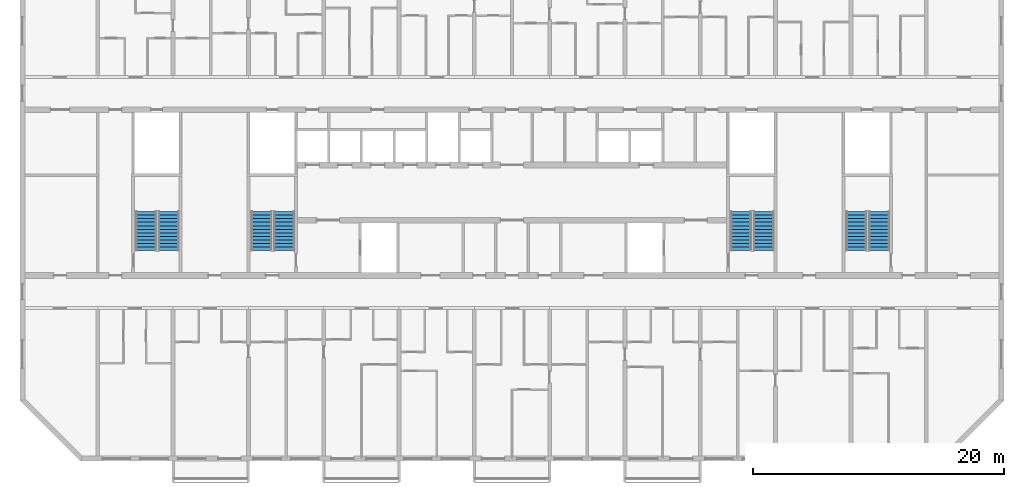
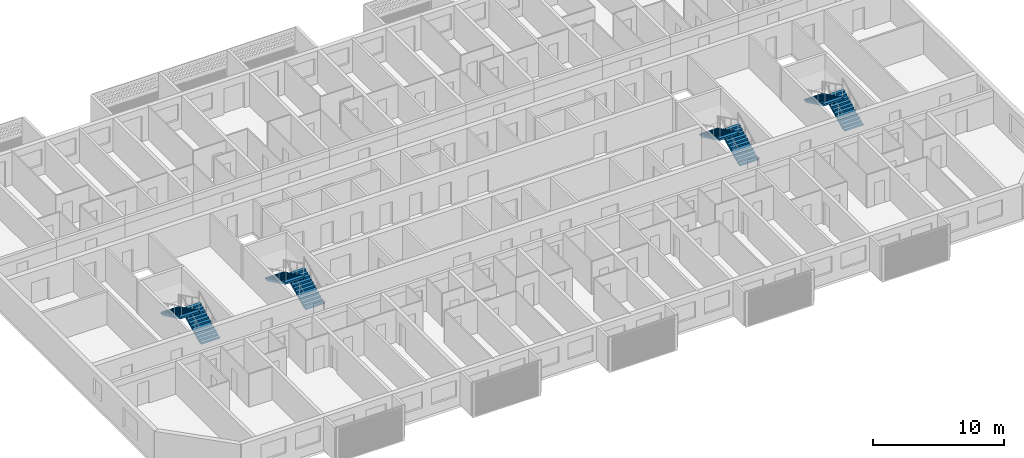
# One storey, part 14 of 33: 8 stair flights, 4 elements without a shape of their own.
"""IFC4 building model written with IfcOpenShell, lengths in metres."""

import ifcopenshell
import ifcopenshell.guid

model = None  # the IFC model being written
_history = None  # IfcOwnerHistory: only IFC2X3 demands one
_inside = {}  # id of a spatial element -> (the spatial element, [elements in it])
_under = {}  # id of a project, library or spatial element -> (it, [spatial elements below it])
_declared = {}  # id of a project -> (the project, [libraries it declares])
_typed = {}  # id of a type object -> (the type object, [elements of that type])
_made_of = {}  # id of a material, layer set ... -> (it, [elements and type objects made of it])


def new_model(schema):
    """Start an empty IFC model of exactly this schema.

    Asked for "IFC4X3", IfcOpenShell would pick the latest addendum, in which some entities
    have other attributes; the version numbers below select the first issue.
    IFC2X3 requires an IfcOwnerHistory on every rooted entity: one is made here for all.
    """
    global model, _history
    if schema == "IFC4X3":
        model = ifcopenshell.file(schema_version=(4, 3, 0, 0))
    else:
        model = ifcopenshell.file(schema=schema)
    _inside.clear()
    _under.clear()
    _declared.clear()
    _typed.clear()
    _made_of.clear()
    _history = None
    if model.schema == "IFC2X3":
        org = make("IfcOrganization", Name="unknown")
        user = make(
            "IfcPersonAndOrganization",
            ThePerson=make("IfcPerson", FamilyName="unknown"),
            TheOrganization=org,
        )
        app = make(
            "IfcApplication",
            ApplicationDeveloper=org,
            Version="unknown",
            ApplicationFullName="unknown",
            ApplicationIdentifier="unknown",
        )
        _history = make(
            "IfcOwnerHistory",
            OwningUser=user,
            OwningApplication=app,
            ChangeAction="ADDED",
            CreationDate=0,
        )
    return model


def make(cls, **values):
    """One entity of the class cls with the attributes given. An attribute that is None is left unset."""
    return model.create_entity(
        cls, **{name: value for name, value in values.items() if value is not None}
    )


def rooted(cls, **values):
    """An entity with a GlobalId (a new one), such as an element, a storey or a relation."""
    return make(cls, GlobalId=ifcopenshell.guid.new(), OwnerHistory=_history, **values)


def si_unit(unit_type, name, prefix=None):
    """IfcSIUnit, for example si_unit("LENGTHUNIT", "METRE", prefix="MILLI")."""
    return make("IfcSIUnit", UnitType=unit_type, Prefix=prefix, Name=name)


def assignment(units):
    """IfcUnitAssignment: the units of a project."""
    return None if units is None else make("IfcUnitAssignment", Units=units)


def point(xyz):
    """IfcCartesianPoint."""
    return None if xyz is None else make("IfcCartesianPoint", Coordinates=xyz)


def direction(xyz):
    """IfcDirection."""
    return None if xyz is None else make("IfcDirection", DirectionRatios=xyz)


def frame(location, z_axis=None, x_axis=None):
    """IfcAxis2Placement3D, a coordinate frame: its origin and axes. An axis left out is left unset."""
    return make(
        "IfcAxis2Placement3D",
        Location=point(location),
        Axis=direction(z_axis),
        RefDirection=direction(x_axis),
    )


def origin():
    """The frame at (0, 0, 0) with its axes left unset."""
    return frame((0.0, 0.0, 0.0))


def place(relative_to, where):
    """IfcLocalPlacement: puts the frame where relative to a parent placement (None: the world)."""
    return make(
        "IfcLocalPlacement", PlacementRelTo=relative_to, RelativePlacement=where
    )


def context(
    kind, dimensions, precision=None, world=None, true_north=None, identifier=None
):
    """IfcGeometricRepresentationContext, for example the 3D "Model" context."""
    return make(
        "IfcGeometricRepresentationContext",
        ContextIdentifier=identifier,
        ContextType=kind,
        CoordinateSpaceDimension=dimensions,
        Precision=precision,
        WorldCoordinateSystem=world,
        TrueNorth=true_north,
    )


def subcontext(parent, identifier, kind, view, scale=None):
    """IfcGeometricRepresentationSubContext, for example "Body" below "Model"."""
    return make(
        "IfcGeometricRepresentationSubContext",
        ContextIdentifier=identifier,
        ContextType=kind,
        ParentContext=parent,
        TargetScale=scale,
        TargetView=view,
    )


def project(units=None, contexts=None):
    """IfcProject with its units and contexts."""
    return rooted(
        "IfcProject",
        Name="project",
        RepresentationContexts=contexts,
        UnitsInContext=assignment(units),
    )


def spatial(cls, under=None, at=None, **own):
    """A site, building, storey or space (cls), placed at a placement, below another one or the project."""
    s = rooted(cls, ObjectPlacement=at, **own)
    if under is not None:
        _under.setdefault(under.id(), (under, []))[1].append(s)
    return s


def polyline(points):
    """IfcPolyline through the points."""
    return make("IfcPolyline", Points=[point(p) for p in points])


def outline(outer, holes=None, kind="AREA"):
    """IfcArbitraryClosedProfileDef: a profile drawn as a closed curve; with holes, ...WithVoids."""
    if holes is None:
        return make("IfcArbitraryClosedProfileDef", ProfileType=kind, OuterCurve=outer)
    return make(
        "IfcArbitraryProfileDefWithVoids",
        ProfileType=kind,
        OuterCurve=outer,
        InnerCurves=holes,
    )


def extrude(swept, where, along, depth):
    """IfcExtrudedAreaSolid: the profile swept, set in the frame where, extruded along a direction by depth."""
    return make(
        "IfcExtrudedAreaSolid",
        SweptArea=swept,
        Position=where,
        ExtrudedDirection=direction(along),
        Depth=depth,
    )


def shape(context_of_items, identifier, shape_type, items):
    """IfcShapeRepresentation: the items that make up one representation, for example the "Body"."""
    return make(
        "IfcShapeRepresentation",
        ContextOfItems=context_of_items,
        RepresentationIdentifier=identifier,
        RepresentationType=shape_type,
        Items=items,
    )


def material(Name=None, Category=None):
    """IfcMaterial."""
    return make("IfcMaterial", Name=Name, Category=Category)


def layer(
    of_material, thickness, ventilated=None, Name=None, Category=None, Priority=None
):
    """IfcMaterialLayer: one layer of a wall or slab, of a material (None: an air gap)."""
    return make(
        "IfcMaterialLayer",
        Material=of_material,
        LayerThickness=thickness,
        IsVentilated=ventilated,
        Name=Name,
        Category=Category,
        Priority=Priority,
    )


def layer_set(layers, Name=None):
    """IfcMaterialLayerSet."""
    return make("IfcMaterialLayerSet", MaterialLayers=layers, LayerSetName=Name)


def made_of(thing, what):
    """Note that an element or type object is made of a material, layer set ...; save() writes the relation."""
    if what is not None:
        _made_of.setdefault(what.id(), (what, []))[1].append(thing)
    return thing


def type_object(cls, material=None, **own):
    """A type object (cls), such as IfcWallType, which elements share."""
    return made_of(rooted(cls, **own), material)


def element(
    cls,
    number,
    at=None,
    inside=None,
    cuts=None,
    type_object=None,
    material=None,
    context=None,
    identifier="Body",
    shape_type=None,
    held_by="IfcProductDefinitionShape",
    body=None,
    shapes=None,
    **own,
):
    """One element of the class cls, such as IfcWall. Its Tag is "e" and its number.

    at: its placement. inside: the storey or other place that contains it. cuts: it is an
    opening in that element (IfcRelVoidsElement). A single representation is given by context,
    identifier, shape_type and body (its items); several are given by shapes. held_by: the class
    of the entity that holds the representations. save() writes the other relations.
    """
    e = rooted(cls, Tag="e%d" % number, ObjectPlacement=at, **own)
    if body is not None:
        shapes = [shape(context, identifier, shape_type, body)]
    if shapes is not None:
        e.Representation = make(held_by, Representations=shapes)
    if inside is not None:
        _inside.setdefault(inside.id(), (inside, []))[1].append(e)
    if cuts is not None:
        rooted(
            "IfcRelVoidsElement", RelatingBuildingElement=cuts, RelatedOpeningElement=e
        )
    if type_object is not None:
        _typed.setdefault(type_object.id(), (type_object, []))[1].append(e)
    return made_of(e, material)


def aggregate(whole, parts):
    """IfcRelAggregates: a whole, such as a stair, and the parts it consists of."""
    return rooted("IfcRelAggregates", RelatingObject=whole, RelatedObjects=parts)


def save(model, path):
    """Write the relations noted so far, then the file.

    IfcRelAggregates (storeys below a building ...), IfcRelContainedInSpatialStructure (elements
    in a storey), IfcRelDefinesByType, IfcRelAssociatesMaterial and IfcRelDeclares: one each for
    every whole, place, type object, material and project.
    """
    for whole, parts in _under.values():
        aggregate(whole, parts)
    for where, things in _inside.values():
        rooted(
            "IfcRelContainedInSpatialStructure",
            RelatedElements=things,
            RelatingStructure=where,
        )
    for kind, things in _typed.values():
        rooted("IfcRelDefinesByType", RelatedObjects=things, RelatingType=kind)
    for what, things in _made_of.values():
        rooted("IfcRelAssociatesMaterial", RelatedObjects=things, RelatingMaterial=what)
    for by, libraries in _declared.values():
        rooted("IfcRelDeclares", RelatingContext=by, RelatedDefinitions=libraries)
    model.write(path)


model = new_model("IFC4")

# Units and contexts
model_context = context("Model", 3, precision=1e-05, world=origin(), true_north=direction((0.0, 1.0)))
body_context = subcontext(model_context, "Body", "Model", "MODEL_VIEW")
ifc_project = project(units=[si_unit("LENGTHUNIT", "METRE"), si_unit("AREAUNIT", "SQUARE_METRE"), si_unit("VOLUMEUNIT", "CUBIC_METRE"), si_unit("PLANEANGLEUNIT", "RADIAN"), si_unit("MASSUNIT", "GRAM", prefix="KILO")], contexts=[model_context])

# Site, building, storey
site_placement = place(None, origin())
site = spatial("IfcSite", under=ifc_project, at=site_placement, CompositionType="ELEMENT")
building_placement = place(site_placement, origin())
building = spatial("IfcBuilding", under=site, at=building_placement, Name="Poui Terraces", CompositionType="ELEMENT")
storey_placement = place(building_placement, frame((0.0, 0.0, 135.60009765625)))
storey = spatial("IfcBuildingStorey", under=building, at=storey_placement, Name="L37", CompositionType="ELEMENT", Elevation=135.60009765625)

# Stair, stair flights
ifc_material = material(Name="Concrete 65 MPa", Category="concrete")
stair_type = type_object("IfcStairType", Name="EXIT STAIR 1650 65 MPA", PredefinedType="HALF_TURN_STAIR", material=ifc_material)
stair_1_placement = place(storey_placement, origin())
stair_1 = element("IfcStair", 1, at=stair_1_placement, inside=storey, type_object=stair_type, Name="L37 CORE STAIR EAST", PredefinedType="HALF_TURN_STAIR")
ifc_layer = layer(ifc_material, 0.14990234375)
ifc_layer_set = layer_set([ifc_layer], Name="Concrete 65 MPa")
stair_flight_type = type_object("IfcStairFlightType", Name="STAIR FLIGHT 12 RISERS 138 RISE 65 MPA", PredefinedType="STRAIGHT", material=ifc_layer_set)
stair_flight_1_placement = place(storey_placement, frame((71.050048828125, 16.60009765625, 0.0), z_axis=(0.0, 0.0, 1.0), x_axis=(0.0, 1.0, 0.0)))
stair_flight_1 = element("IfcStairFlight", 2, at=stair_flight_1_placement, type_object=stair_flight_type, Name="ST-CE flight 1", NumberOfRisers=12, NumberOfTreads=11, PredefinedType="STRAIGHT", RiserHeight=0.1375, TreadLength=0.28, context=body_context, shape_type="SweptSolid", body=[
    extrude(outline(polyline([(0.0, 0.0), (0.0, 0.137451171875), (0.280029296875, 0.137451171875), (0.280029296875, 0.27490234375), (0.56005859375, 0.27490234375), (0.56005859375, 0.41259765625), (0.840087890625, 0.41259765625), (0.840087890625, 0.550048828125), (1.1201171875, 0.550048828125), (1.1201171875, 0.6875), (1.39990234375, 0.6875), (1.39990234375, 0.824951171875), (1.679931640625, 0.824951171875), (1.679931640625, 0.96240234375), (1.9599609375, 0.96240234375), (1.9599609375, 1.10009765625), (2.239990234375, 1.10009765625), (2.239990234375, 1.237548828125), (2.52001953125, 1.237548828125), (2.52001953125, 1.375), (2.800048828125, 1.375), (2.800048828125, 1.512451171875), (3.080078125, 1.512451171875), (3.080078125, 1.64990234375), (3.080078125, 1.345458984375), (0.340087890625, 0.0), (0.0, 0.0)])), frame((0.0, 0.824951171875, 0.0), z_axis=(0.0, -1.0, 0.0), x_axis=(1.0, 0.0, 0.0)), (0.0, 0.0, 1.0), 1.64990234375),
])
stair_flight_2_placement = place(storey_placement, frame((69.25, 19.679931640625, 1.64990234375), z_axis=(0.0, 0.0, 1.0), x_axis=(0.0, -1.0, 0.0)))
stair_flight_2 = element("IfcStairFlight", 3, at=stair_flight_2_placement, type_object=stair_flight_type, Name="ST-CE flight 2", NumberOfRisers=12, NumberOfTreads=11, PredefinedType="STRAIGHT", RiserHeight=0.1375, TreadLength=0.28, context=body_context, shape_type="SweptSolid", body=[
    extrude(outline(polyline([(0.0, 0.0), (0.0, 0.137451171875), (0.280029296875, 0.137451171875), (0.280029296875, 0.27490234375), (0.56005859375, 0.27490234375), (0.56005859375, 0.41259765625), (0.840087890625, 0.41259765625), (0.840087890625, 0.550048828125), (1.1201171875, 0.550048828125), (1.1201171875, 0.6875), (1.39990234375, 0.6875), (1.39990234375, 0.824951171875), (1.679931640625, 0.824951171875), (1.679931640625, 0.96240234375), (1.9599609375, 0.96240234375), (1.9599609375, 1.10009765625), (2.239990234375, 1.10009765625), (2.239990234375, 1.237548828125), (2.52001953125, 1.237548828125), (2.52001953125, 1.375), (2.800048828125, 1.375), (2.800048828125, 1.512451171875), (3.080078125, 1.512451171875), (3.080078125, 1.64990234375), (3.080078125, 1.345458984375), (0.340087890625, 0.0), (0.0, 0.0)])), frame((0.0, 0.824951171875, 0.0), z_axis=(0.0, -1.0, 0.0), x_axis=(1.0, 0.0, 0.0)), (0.0, 0.0, 1.0), 1.64990234375),
])
aggregate(stair_1, [stair_flight_1, stair_flight_2])

stair_2_placement = place(storey_placement, origin())
stair_2 = element("IfcStair", 4, at=stair_2_placement, inside=storey, type_object=stair_type, Name="L37 CORE STAIR WEST", PredefinedType="HALF_TURN_STAIR")
stair_flight_3_placement = place(storey_placement, frame((32.85009765625, 16.60009765625, 0.0), z_axis=(0.0, 0.0, 1.0), x_axis=(0.0, 1.0, 0.0)))
stair_flight_3 = element("IfcStairFlight", 5, at=stair_flight_3_placement, type_object=stair_flight_type, Name="ST-CW flight 1", NumberOfRisers=12, NumberOfTreads=11, PredefinedType="STRAIGHT", RiserHeight=0.1375, TreadLength=0.28, context=body_context, shape_type="SweptSolid", body=[
    extrude(outline(polyline([(0.0, 0.0), (0.0, 0.137451171875), (0.280029296875, 0.137451171875), (0.280029296875, 0.27490234375), (0.56005859375, 0.27490234375), (0.56005859375, 0.41259765625), (0.840087890625, 0.41259765625), (0.840087890625, 0.550048828125), (1.1201171875, 0.550048828125), (1.1201171875, 0.6875), (1.39990234375, 0.6875), (1.39990234375, 0.824951171875), (1.679931640625, 0.824951171875), (1.679931640625, 0.96240234375), (1.9599609375, 0.96240234375), (1.9599609375, 1.10009765625), (2.239990234375, 1.10009765625), (2.239990234375, 1.237548828125), (2.52001953125, 1.237548828125), (2.52001953125, 1.375), (2.800048828125, 1.375), (2.800048828125, 1.512451171875), (3.080078125, 1.512451171875), (3.080078125, 1.64990234375), (3.080078125, 1.345458984375), (0.340087890625, 0.0), (0.0, 0.0)])), frame((0.0, 0.824951171875, 0.0), z_axis=(0.0, -1.0, 0.0), x_axis=(1.0, 0.0, 0.0)), (0.0, 0.0, 1.0), 1.64990234375),
])
stair_flight_4_placement = place(storey_placement, frame((31.050048828125, 19.679931640625, 1.64990234375), z_axis=(0.0, 0.0, 1.0), x_axis=(0.0, -1.0, 0.0)))
stair_flight_4 = element("IfcStairFlight", 6, at=stair_flight_4_placement, type_object=stair_flight_type, Name="ST-CW flight 2", NumberOfRisers=12, NumberOfTreads=11, PredefinedType="STRAIGHT", RiserHeight=0.1375, TreadLength=0.28, context=body_context, shape_type="SweptSolid", body=[
    extrude(outline(polyline([(0.0, 0.0), (0.0, 0.137451171875), (0.280029296875, 0.137451171875), (0.280029296875, 0.27490234375), (0.56005859375, 0.27490234375), (0.56005859375, 0.41259765625), (0.840087890625, 0.41259765625), (0.840087890625, 0.550048828125), (1.1201171875, 0.550048828125), (1.1201171875, 0.6875), (1.39990234375, 0.6875), (1.39990234375, 0.824951171875), (1.679931640625, 0.824951171875), (1.679931640625, 0.96240234375), (1.9599609375, 0.96240234375), (1.9599609375, 1.10009765625), (2.239990234375, 1.10009765625), (2.239990234375, 1.237548828125), (2.52001953125, 1.237548828125), (2.52001953125, 1.375), (2.800048828125, 1.375), (2.800048828125, 1.512451171875), (3.080078125, 1.512451171875), (3.080078125, 1.64990234375), (3.080078125, 1.345458984375), (0.340087890625, 0.0), (0.0, 0.0)])), frame((0.0, 0.824951171875, 0.0), z_axis=(0.0, -1.0, 0.0), x_axis=(1.0, 0.0, 0.0)), (0.0, 0.0, 1.0), 1.64990234375),
])
aggregate(stair_2, [stair_flight_3, stair_flight_4])

stair_3_placement = place(storey_placement, origin())
stair_3 = element("IfcStair", 7, at=stair_3_placement, inside=storey, type_object=stair_type, Name="L37 TIP STAIR EAST", PredefinedType="HALF_TURN_STAIR")
stair_flight_5_placement = place(storey_placement, frame((80.25, 16.60009765625, 0.0), z_axis=(0.0, 0.0, 1.0), x_axis=(0.0, 1.0, 0.0)))
stair_flight_5 = element("IfcStairFlight", 8, at=stair_flight_5_placement, type_object=stair_flight_type, Name="ST-E flight 1", NumberOfRisers=12, NumberOfTreads=11, PredefinedType="STRAIGHT", RiserHeight=0.1375, TreadLength=0.28, context=body_context, shape_type="SweptSolid", body=[
    extrude(outline(polyline([(0.0, 0.0), (0.0, 0.137451171875), (0.280029296875, 0.137451171875), (0.280029296875, 0.27490234375), (0.56005859375, 0.27490234375), (0.56005859375, 0.41259765625), (0.840087890625, 0.41259765625), (0.840087890625, 0.550048828125), (1.1201171875, 0.550048828125), (1.1201171875, 0.6875), (1.39990234375, 0.6875), (1.39990234375, 0.824951171875), (1.679931640625, 0.824951171875), (1.679931640625, 0.96240234375), (1.9599609375, 0.96240234375), (1.9599609375, 1.10009765625), (2.239990234375, 1.10009765625), (2.239990234375, 1.237548828125), (2.52001953125, 1.237548828125), (2.52001953125, 1.375), (2.800048828125, 1.375), (2.800048828125, 1.512451171875), (3.080078125, 1.512451171875), (3.080078125, 1.64990234375), (3.080078125, 1.345458984375), (0.340087890625, 0.0), (0.0, 0.0)])), frame((0.0, 0.824951171875, 0.0), z_axis=(0.0, -1.0, 0.0), x_axis=(1.0, 0.0, 0.0)), (0.0, 0.0, 1.0), 1.64990234375),
])
stair_flight_6_placement = place(storey_placement, frame((78.449951171875, 19.679931640625, 1.64990234375), z_axis=(0.0, 0.0, 1.0), x_axis=(0.0, -1.0, 0.0)))
stair_flight_6 = element("IfcStairFlight", 9, at=stair_flight_6_placement, type_object=stair_flight_type, Name="ST-E flight 2", NumberOfRisers=12, NumberOfTreads=11, PredefinedType="STRAIGHT", RiserHeight=0.1375, TreadLength=0.28, context=body_context, shape_type="SweptSolid", body=[
    extrude(outline(polyline([(0.0, 0.0), (0.0, 0.137451171875), (0.280029296875, 0.137451171875), (0.280029296875, 0.27490234375), (0.56005859375, 0.27490234375), (0.56005859375, 0.41259765625), (0.840087890625, 0.41259765625), (0.840087890625, 0.550048828125), (1.1201171875, 0.550048828125), (1.1201171875, 0.6875), (1.39990234375, 0.6875), (1.39990234375, 0.824951171875), (1.679931640625, 0.824951171875), (1.679931640625, 0.96240234375), (1.9599609375, 0.96240234375), (1.9599609375, 1.10009765625), (2.239990234375, 1.10009765625), (2.239990234375, 1.237548828125), (2.52001953125, 1.237548828125), (2.52001953125, 1.375), (2.800048828125, 1.375), (2.800048828125, 1.512451171875), (3.080078125, 1.512451171875), (3.080078125, 1.64990234375), (3.080078125, 1.345458984375), (0.340087890625, 0.0), (0.0, 0.0)])), frame((0.0, 0.824951171875, 0.0), z_axis=(0.0, -1.0, 0.0), x_axis=(1.0, 0.0, 0.0)), (0.0, 0.0, 1.0), 1.64990234375),
])
aggregate(stair_3, [stair_flight_5, stair_flight_6])

stair_4_placement = place(storey_placement, origin())
stair_4 = element("IfcStair", 10, at=stair_4_placement, inside=storey, type_object=stair_type, Name="L37 TIP STAIR WEST", PredefinedType="HALF_TURN_STAIR")
stair_flight_7_placement = place(storey_placement, frame((23.64990234375, 16.60009765625, 0.0), z_axis=(0.0, 0.0, 1.0), x_axis=(0.0, 1.0, 0.0)))
stair_flight_7 = element("IfcStairFlight", 11, at=stair_flight_7_placement, type_object=stair_flight_type, Name="ST-W flight 1", NumberOfRisers=12, NumberOfTreads=11, PredefinedType="STRAIGHT", RiserHeight=0.1375, TreadLength=0.28, context=body_context, shape_type="SweptSolid", body=[
    extrude(outline(polyline([(0.0, 0.0), (0.0, 0.137451171875), (0.280029296875, 0.137451171875), (0.280029296875, 0.27490234375), (0.56005859375, 0.27490234375), (0.56005859375, 0.41259765625), (0.840087890625, 0.41259765625), (0.840087890625, 0.550048828125), (1.1201171875, 0.550048828125), (1.1201171875, 0.6875), (1.39990234375, 0.6875), (1.39990234375, 0.824951171875), (1.679931640625, 0.824951171875), (1.679931640625, 0.96240234375), (1.9599609375, 0.96240234375), (1.9599609375, 1.10009765625), (2.239990234375, 1.10009765625), (2.239990234375, 1.237548828125), (2.52001953125, 1.237548828125), (2.52001953125, 1.375), (2.800048828125, 1.375), (2.800048828125, 1.512451171875), (3.080078125, 1.512451171875), (3.080078125, 1.64990234375), (3.080078125, 1.345458984375), (0.340087890625, 0.0), (0.0, 0.0)])), frame((0.0, 0.824951171875, 0.0), z_axis=(0.0, -1.0, 0.0), x_axis=(1.0, 0.0, 0.0)), (0.0, 0.0, 1.0), 1.64990234375),
])
stair_flight_8_placement = place(storey_placement, frame((21.85009765625, 19.679931640625, 1.64990234375), z_axis=(0.0, 0.0, 1.0), x_axis=(0.0, -1.0, 0.0)))
stair_flight_8 = element("IfcStairFlight", 12, at=stair_flight_8_placement, type_object=stair_flight_type, Name="ST-W flight 2", NumberOfRisers=12, NumberOfTreads=11, PredefinedType="STRAIGHT", RiserHeight=0.1375, TreadLength=0.28, context=body_context, shape_type="SweptSolid", body=[
    extrude(outline(polyline([(0.0, 0.0), (0.0, 0.137451171875), (0.280029296875, 0.137451171875), (0.280029296875, 0.27490234375), (0.56005859375, 0.27490234375), (0.56005859375, 0.41259765625), (0.840087890625, 0.41259765625), (0.840087890625, 0.550048828125), (1.1201171875, 0.550048828125), (1.1201171875, 0.6875), (1.39990234375, 0.6875), (1.39990234375, 0.824951171875), (1.679931640625, 0.824951171875), (1.679931640625, 0.96240234375), (1.9599609375, 0.96240234375), (1.9599609375, 1.10009765625), (2.239990234375, 1.10009765625), (2.239990234375, 1.237548828125), (2.52001953125, 1.237548828125), (2.52001953125, 1.375), (2.800048828125, 1.375), (2.800048828125, 1.512451171875), (3.080078125, 1.512451171875), (3.080078125, 1.64990234375), (3.080078125, 1.345458984375), (0.340087890625, 0.0), (0.0, 0.0)])), frame((0.0, 0.824951171875, 0.0), z_axis=(0.0, -1.0, 0.0), x_axis=(1.0, 0.0, 0.0)), (0.0, 0.0, 1.0), 1.64990234375),
])
aggregate(stair_4, [stair_flight_7, stair_flight_8])

save(model, "model.ifc")
